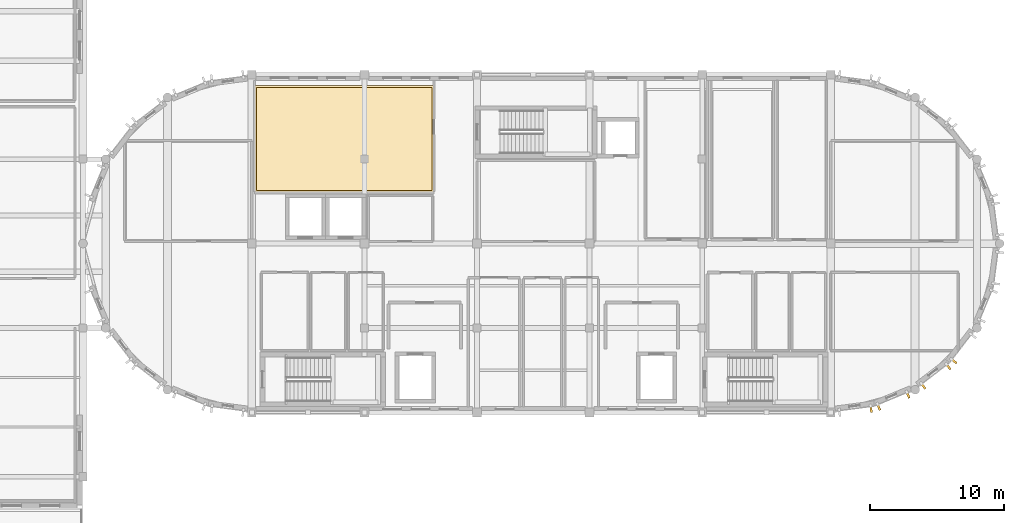
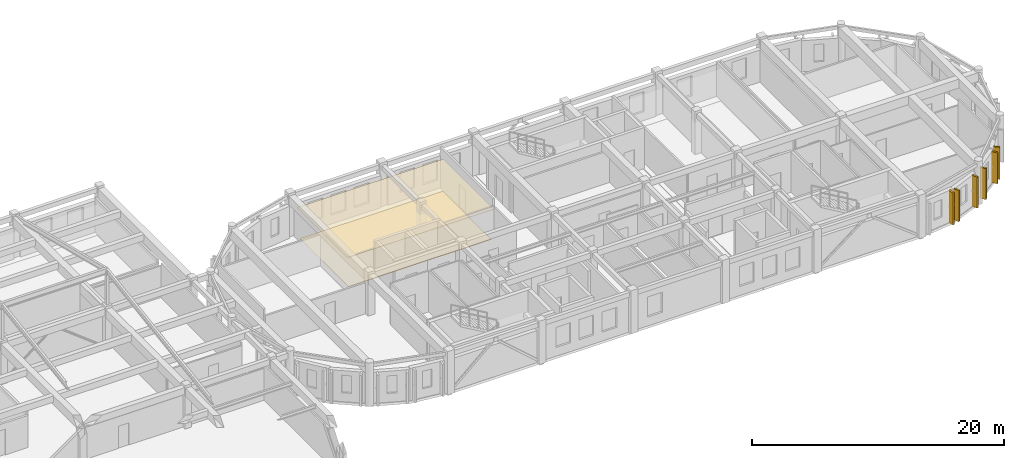
# One storey, part 27 of 29: 8 coverings.
"""IFC4 building model written with IfcOpenShell, lengths in metres."""

from ifc_helpers import new_model, si_unit, direction, frame, origin, origin_2d, place, context, subcontext, project, spatial, polyline, rectangle, outline, extrude, material, layer, layer_set, type_object, element, save


model = new_model("IFC4")

# Units and contexts
model_context = context("Model", 3, precision=1e-05, world=origin(), true_north=direction((0.0, 1.0)))
body_context = subcontext(model_context, "Body", "Model", "MODEL_VIEW")
ifc_project = project(units=[si_unit("LENGTHUNIT", "METRE"), si_unit("AREAUNIT", "SQUARE_METRE"), si_unit("VOLUMEUNIT", "CUBIC_METRE"), si_unit("PLANEANGLEUNIT", "RADIAN"), si_unit("MASSUNIT", "GRAM", prefix="KILO")], contexts=[model_context])

# Site, building, storey
site_placement = place(None, origin())
site = spatial("IfcSite", under=ifc_project, at=site_placement, CompositionType="ELEMENT")
building_placement = place(site_placement, origin())
building = spatial("IfcBuilding", under=site, at=building_placement, Name="Tarnavel Promenade Courthouse", CompositionType="ELEMENT")
storey_placement = place(building_placement, frame((0.0, 0.0, 22.800048828125)))
storey = spatial("IfcBuildingStorey", under=building, at=storey_placement, Name="L06", CompositionType="ELEMENT", Elevation=22.800048828125)

# Coverings
ifc_material_1 = material(Name="Engineered Smoked Oak Courtroom & Chambers Parquet")
ifc_layer_1 = layer(ifc_material_1, 0.031982421875)
ifc_layer_set_1 = layer_set([ifc_layer_1], Name="Engineered Smoked Oak Courtroom & Chambers Parquet")
covering_type_1 = type_object("IfcCoveringType", Name="Engineered Smoked Oak Courtroom & Chambers Parquet (COV-FLR-OAK-32)", PredefinedType="FLOORING", material=ifc_layer_set_1)
covering_1_placement = place(storey_placement, origin())
element("IfcCovering", 1, at=covering_1_placement, inside=storey, type_object=covering_type_1, Name="L06 Judges' Chambers L06 Suite A Architectural Flooring 0043", PredefinedType="FLOORING", context=body_context, shape_type="SweptSolid", body=[
    extrude(outline(polyline([(59.14990234375, 95.75), (72.25, 95.75), (72.25, 103.449951171875), (59.14990234375, 103.449951171875), (59.14990234375, 95.75)])), origin(), (0.0, 0.0, 1.0), 0.031982421875),
])
ifc_material_2 = material(Name="Micro-Perforated Acoustic Mineral-Fibre Ceiling")
ifc_layer_2 = layer(ifc_material_2, 0.044921875)
ifc_layer_set_2 = layer_set([ifc_layer_2], Name="Micro-Perforated Acoustic Mineral-Fibre Ceiling")
covering_type_2 = type_object("IfcCoveringType", Name="Micro-Perforated Acoustic Mineral-Fibre Ceiling (COV-CLG-MIN-45)", PredefinedType="CEILING", material=ifc_layer_set_2)
covering_2_placement = place(storey_placement, frame((0.0, 0.0, 2.954833984375)))
element("IfcCovering", 2, at=covering_2_placement, inside=storey, type_object=covering_type_2, Name="L06 Judges' Chambers L06 Suite A Acoustic Ceiling 0043", PredefinedType="CEILING", context=body_context, shape_type="SweptSolid", body=[
    extrude(outline(polyline([(59.0, 95.60009765625), (72.39990234375, 95.60009765625), (72.39990234375, 103.60009765625), (59.0, 103.60009765625), (59.0, 95.60009765625)])), origin(), (0.0, 0.0, 1.0), 0.045166015625),
])
ifc_material_3 = material(Name="Patinated Copper-Bronze Fluted Pier Cladding")
ifc_layer_3 = layer(ifc_material_3, 0.52001953125)
ifc_layer_set_3 = layer_set([ifc_layer_3], Name="Patinated Copper-Bronze Fluted Pier Cladding")
covering_type_3 = type_object("IfcCoveringType", Name="Patinated Copper-Bronze Fluted Pier Cladding COV-PIER-520 (520 mm)", PredefinedType="CLADDING", material=ifc_layer_set_3)
covering_3_placement = place(storey_placement, frame((105.001708984375, 79.4541015625, 0.0), z_axis=(0.0, 0.0, 1.0), x_axis=(0.991444861374, 0.13052619222, 0.0)))
element("IfcCovering", 3, at=covering_3_placement, inside=storey, type_object=covering_type_3, Name="L06 E Drum Fluted Copper Pier 0200", PredefinedType="CLADDING", context=body_context, shape_type="SweptSolid", body=[
    extrude(rectangle(XDim=0.159912109375, YDim=0.52001953125, at=origin_2d()), origin(), (0.0, 0.0, 1.0), 3.10009765625),
])
for number, where, z_axis, x_axis, name in (
    (4, (105.573486328125, 79.607177734375, 0.0), (0.0, 0.0, 1.0), (0.923879532511, 0.382683432365, 0.0), "L06 E Drum Fluted Copper Pier 0201"),
    (5, (107.7578125, 80.511962890625, 0.0), (0.0, 0.0, 1.0), (0.923879532511, 0.382683432365, 0.0), "L06 E Drum Fluted Copper Pier 0202"),
    (6, (108.89697265625, 81.169677734375, 0.0), (0.0, 0.0, 1.0), (0.793353340291, 0.608761429009, 0.0), "L06 E Drum Fluted Copper Pier 0203"),
    (7, (110.772705078125, 82.60888671875, 0.0), (0.0, 0.0, 1.0), (0.793353340291, 0.608761429009, 0.0), "L06 E Drum Fluted Copper Pier 0204"),
):
    element("IfcCovering", number, at=place(storey_placement, frame(where, z_axis=z_axis, x_axis=x_axis)), inside=storey, type_object=covering_type_3, Name=name, PredefinedType="CLADDING", context=body_context, shape_type="SweptSolid", body=[
        extrude(rectangle(XDim=0.159912109375, YDim=0.52001953125, at=origin_2d()), origin(), (0.0, 0.0, 1.0), 3.0),
    ])
covering_4_placement = place(storey_placement, frame((111.191162109375, 83.02734375, 0.0), z_axis=(0.0, 0.0, 1.0), x_axis=(0.608761429009, 0.793353340291, 0.0)))
element("IfcCovering", 8, at=covering_4_placement, inside=storey, type_object=covering_type_3, Name="L06 E Drum Fluted Copper Pier 0205", PredefinedType="CLADDING", context=body_context, shape_type="SweptSolid", body=[
    extrude(rectangle(XDim=0.159912109375, YDim=0.52001953125, at=origin_2d()), origin(), (0.0, 0.0, 1.0), 3.10009765625),
])

save(model, "model.ifc")
